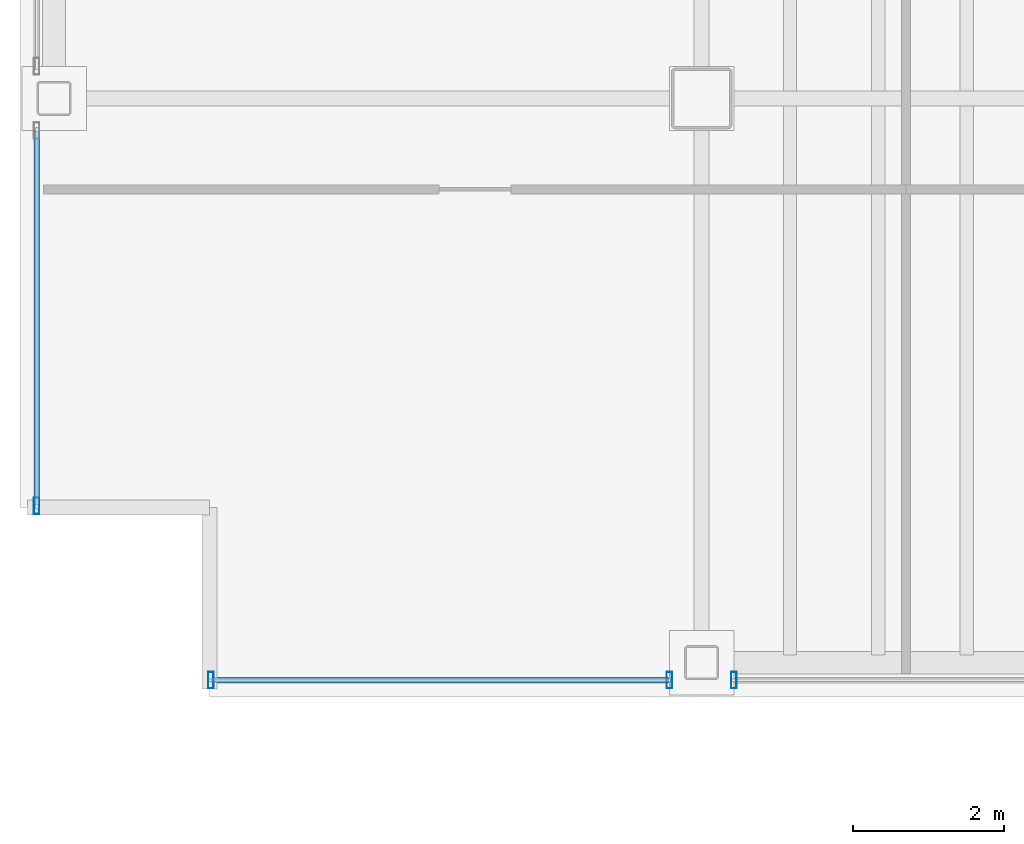
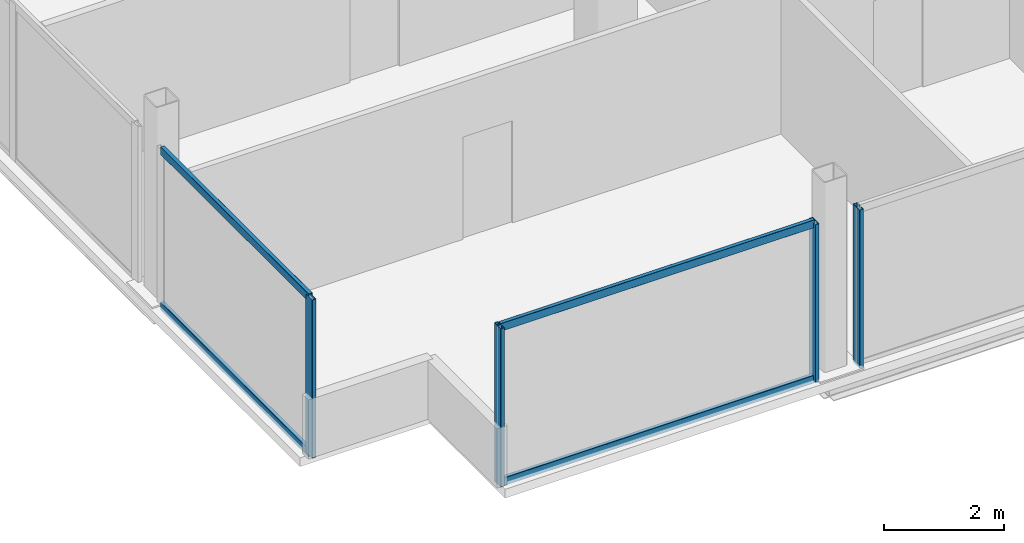
# One storey, part 2 of 17: 8 members, 3 elements without a shape of their own.
"""IFC4 building model written with IfcOpenShell, lengths in metres."""

from ifc_helpers import new_model, si_unit, direction, frame, origin, origin_2d, place, context, subcontext, project, spatial, hollow_rectangle, extrude, material, material_profile, profile_set, type_object, element, aggregate, save


model = new_model("IFC4")

# Units and contexts
model_context = context("Model", 3, precision=1e-05, world=origin(), true_north=direction((0.0, 1.0)))
body_context = subcontext(model_context, "Body", "Model", "MODEL_VIEW")
ifc_project = project(units=[si_unit("LENGTHUNIT", "METRE"), si_unit("AREAUNIT", "SQUARE_METRE"), si_unit("VOLUMEUNIT", "CUBIC_METRE"), si_unit("PLANEANGLEUNIT", "RADIAN"), si_unit("MASSUNIT", "GRAM", prefix="KILO")], contexts=[model_context])

# Site, building, storey
site_placement = place(None, origin())
site = spatial("IfcSite", under=ifc_project, at=site_placement, CompositionType="ELEMENT")
building_placement = place(site_placement, origin())
building = spatial("IfcBuilding", under=site, at=building_placement, Name="Noeulbin Bourse Tower", CompositionType="ELEMENT")
storey_placement = place(building_placement, frame((0.0, 0.0, 246.199951171875)))
storey = spatial("IfcBuildingStorey", under=building, at=storey_placement, Name="L61", CompositionType="ELEMENT", Elevation=246.199951171875)

# Curtain wall, members
ifc_material_1 = material(Name="High-Selectivity Low-Iron Glazing", Category="glass")
curtain_wall_type = type_object("IfcCurtainWallType", Name="CW-SYS-4", PredefinedType="NOTDEFINED", material=ifc_material_1)
curtain_wall_1_placement = place(storey_placement, origin())
curtain_wall_1 = element("IfcCurtainWall", 1, at=curtain_wall_1_placement, inside=storey, type_object=curtain_wall_type, Name="Unitised Curtain Wall CW-L61-S1-S1", PredefinedType="NOTDEFINED")
ifc_material_2 = material(Name="Anodised Aluminium 6063-T6", Category="aluminium")
ifc_material_profile_1 = material_profile(ifc_material_2, hollow_rectangle(XDim=0.074951171875, YDim=0.219970703125, WallThickness=0.0048828125, InnerFilletRadius=0.00244140625, OuterFilletRadius=0.0048828125, at=origin_2d()), Name="ALU-MULL-75x220x5", Category="LoadBearing")
ifc_profile_set_1 = profile_set([ifc_material_profile_1], Name="Anodised Aluminium 6063-T6")
member_type_1 = type_object("IfcMemberType", Name="CW-SYS-4-MUL", PredefinedType="MULLION", material=ifc_profile_set_1)
member_1_placement = place(storey_placement, frame((7.02001953125, 12.320068359375, -0.02001953125), z_axis=(0.0, 0.0, 1.0), x_axis=(1.0, 0.0, 0.0)))
member_1 = element("IfcMember", 2, at=member_1_placement, type_object=member_type_1, Name="Curtain Wall Mullion CW-L61-S1-S1-M00", PredefinedType="MULLION", context=body_context, shape_type="SweptSolid", body=[
    extrude(hollow_rectangle(XDim=0.074951171875, YDim=0.219970703125, WallThickness=0.0048828125, InnerFilletRadius=0.00244140625, OuterFilletRadius=0.0048828125, at=origin_2d()), origin(), (0.0, 0.0, 1.0), 3.219970703125),
])
member_2_placement = place(storey_placement, frame((13.074951171875, 12.320068359375, -0.02001953125), z_axis=(0.0, 0.0, 1.0), x_axis=(1.0, 0.0, 0.0)))
member_2 = element("IfcMember", 3, at=member_2_placement, type_object=member_type_1, Name="Curtain Wall Mullion CW-L61-S1-S1-M01", PredefinedType="MULLION", context=body_context, shape_type="SweptSolid", body=[
    extrude(hollow_rectangle(XDim=0.074951171875, YDim=0.219970703125, WallThickness=0.0048828125, InnerFilletRadius=0.00244140625, OuterFilletRadius=0.0048828125, at=origin_2d()), origin(), (0.0, 0.0, 1.0), 3.219970703125),
])

# Curtain wall, member
curtain_wall_2_placement = place(storey_placement, origin())
curtain_wall_2 = element("IfcCurtainWall", 4, at=curtain_wall_2_placement, inside=storey, type_object=curtain_wall_type, Name="Unitised Curtain Wall CW-L61-S1-S2", PredefinedType="NOTDEFINED")
member_3_placement = place(storey_placement, frame((13.925048828125, 12.320068359375, -0.02001953125), z_axis=(0.0, 0.0, 1.0), x_axis=(1.0, 0.0, 0.0)))
member_3 = element("IfcMember", 5, at=member_3_placement, type_object=member_type_1, Name="Curtain Wall Mullion CW-L61-S1-S2-M00", PredefinedType="MULLION", context=body_context, shape_type="SweptSolid", body=[
    extrude(hollow_rectangle(XDim=0.074951171875, YDim=0.219970703125, WallThickness=0.0048828125, InnerFilletRadius=0.00244140625, OuterFilletRadius=0.0048828125, at=origin_2d()), origin(), (0.0, 0.0, 1.0), 3.219970703125),
])
aggregate(curtain_wall_2, [member_3])

curtain_wall_3_placement = place(storey_placement, origin())
curtain_wall_3 = element("IfcCurtainWall", 6, at=curtain_wall_3_placement, inside=storey, type_object=curtain_wall_type, Name="Unitised Curtain Wall CW-L61-W-S1", PredefinedType="NOTDEFINED")
member_4_placement = place(storey_placement, frame((4.719970703125, 14.6201171875, -0.02001953125), z_axis=(0.0, 0.0, 1.0), x_axis=(1.0, 0.0, 0.0)))
member_4 = element("IfcMember", 7, at=member_4_placement, type_object=member_type_1, Name="Curtain Wall Mullion CW-L61-W-S1-M00", PredefinedType="MULLION", context=body_context, shape_type="SweptSolid", body=[
    extrude(hollow_rectangle(XDim=0.074951171875, YDim=0.219970703125, WallThickness=0.0048828125, InnerFilletRadius=0.00244140625, OuterFilletRadius=0.0048828125, at=origin_2d()), origin(), (0.0, 0.0, 1.0), 3.219970703125),
])

# Member
ifc_material_profile_2 = material_profile(ifc_material_2, hollow_rectangle(XDim=0.074951171875, YDim=0.159912109375, WallThickness=0.0048828125, InnerFilletRadius=0.00244140625, OuterFilletRadius=0.0048828125, at=origin_2d()), Name="ALU-TRAN-75x160x5", Category="LoadBearing")
ifc_profile_set_2 = profile_set([ifc_material_profile_2], Name="Anodised Aluminium 6063-T6")
member_type_2 = type_object("IfcMemberType", Name="CW-SYS-4-TRN", PredefinedType="USERDEFINED", material=ifc_profile_set_2)
member_5_placement = place(storey_placement, frame((7.030029296875, 12.320068359375, 0.010009765625), z_axis=(1.0, 0.0, 0.0), x_axis=(0.0, 1.0, 0.0)))
member_5 = element("IfcMember", 8, at=member_5_placement, type_object=member_type_2, Name="Curtain Wall Transom CW-L61-S1-S1-T00", ObjectType="TRANSOM", PredefinedType="USERDEFINED", context=body_context, shape_type="SweptSolid", body=[
    extrude(hollow_rectangle(XDim=0.074951171875, YDim=0.159912109375, WallThickness=0.0048828125, InnerFilletRadius=0.00244140625, OuterFilletRadius=0.0048828125, at=origin_2d()), origin(), (0.0, 0.0, 1.0), 6.034912109375),
])

member_6_placement = place(storey_placement, frame((7.030029296875, 12.320068359375, 3.170166015625), z_axis=(1.0, 0.0, 0.0), x_axis=(0.0, 1.0, 0.0)))
member_6 = element("IfcMember", 9, at=member_6_placement, type_object=member_type_2, Name="Curtain Wall Transom CW-L61-S1-S1-T01", ObjectType="TRANSOM", PredefinedType="USERDEFINED", context=body_context, shape_type="SweptSolid", body=[
    extrude(hollow_rectangle(XDim=0.074951171875, YDim=0.159912109375, WallThickness=0.0048828125, InnerFilletRadius=0.00244140625, OuterFilletRadius=0.0048828125, at=origin_2d()), origin(), (0.0, 0.0, 1.0), 6.034912109375),
])

aggregate(curtain_wall_1, [member_1, member_2, member_5, member_6])

member_7_placement = place(storey_placement, frame((4.719970703125, 14.6298828125, 0.010009765625), z_axis=(0.0, 1.0, 0.0), x_axis=(-1.0, 0.0, 0.0)))
member_7 = element("IfcMember", 10, at=member_7_placement, type_object=member_type_2, Name="Curtain Wall Transom CW-L61-W-S1-T00", ObjectType="TRANSOM", PredefinedType="USERDEFINED", context=body_context, shape_type="SweptSolid", body=[
    extrude(hollow_rectangle(XDim=0.074951171875, YDim=0.159912109375, WallThickness=0.0048828125, InnerFilletRadius=0.00244140625, OuterFilletRadius=0.0048828125, at=origin_2d()), origin(), (0.0, 0.0, 1.0), 4.93505859375),
])

member_8_placement = place(storey_placement, frame((4.719970703125, 14.6298828125, 3.170166015625), z_axis=(0.0, 1.0, 0.0), x_axis=(-1.0, 0.0, 0.0)))
member_8 = element("IfcMember", 11, at=member_8_placement, type_object=member_type_2, Name="Curtain Wall Transom CW-L61-W-S1-T01", ObjectType="TRANSOM", PredefinedType="USERDEFINED", context=body_context, shape_type="SweptSolid", body=[
    extrude(hollow_rectangle(XDim=0.074951171875, YDim=0.159912109375, WallThickness=0.0048828125, InnerFilletRadius=0.00244140625, OuterFilletRadius=0.0048828125, at=origin_2d()), origin(), (0.0, 0.0, 1.0), 4.93505859375),
])

aggregate(curtain_wall_3, [member_4, member_7, member_8])

save(model, "model.ifc")
